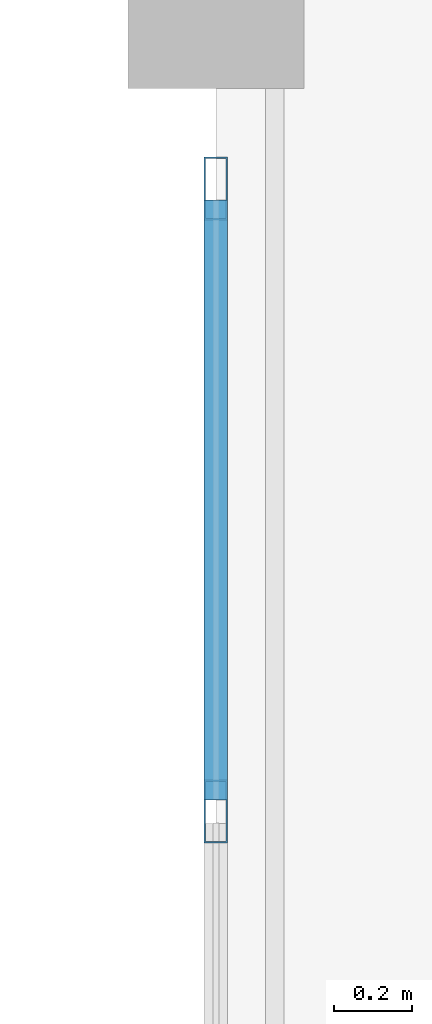
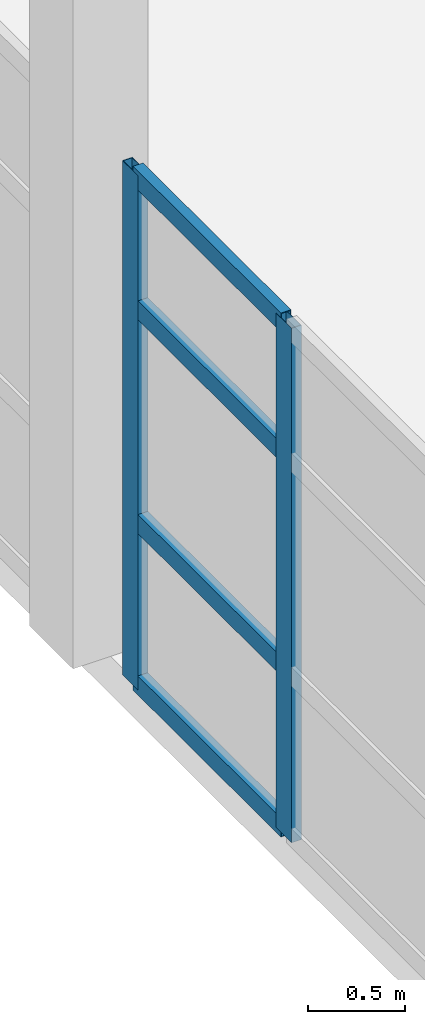
# One storey, part 22 of 80: 6 members, 1 element without a shape of its own.
"""IFC4 building model written with IfcOpenShell, lengths in metres."""

from ifc_helpers import new_model, si_unit, direction, frame, origin, origin_2d, place, context, subcontext, project, spatial, hollow_rectangle, extrude, material, layer, layer_set, material_profile, profile_set, type_object, element, aggregate, save


model = new_model("IFC4")

# Units and contexts
model_context = context("Model", 3, precision=1e-05, world=origin(), true_north=direction((0.0, 1.0)))
body_context = subcontext(model_context, "Body", "Model", "MODEL_VIEW")
ifc_project = project(units=[si_unit("LENGTHUNIT", "METRE"), si_unit("AREAUNIT", "SQUARE_METRE"), si_unit("VOLUMEUNIT", "CUBIC_METRE"), si_unit("PLANEANGLEUNIT", "RADIAN"), si_unit("MASSUNIT", "GRAM", prefix="KILO")], contexts=[model_context])

# Site, building, storey
site_placement = place(None, origin())
site = spatial("IfcSite", under=ifc_project, at=site_placement, CompositionType="ELEMENT")
building_placement = place(site_placement, origin())
building = spatial("IfcBuilding", under=site, at=building_placement, Name="Ornek Quay Market", CompositionType="ELEMENT")
storey_placement = place(building_placement, frame((0.0, 0.0, 8.39990234375)))
storey = spatial("IfcBuildingStorey", under=building, at=storey_placement, Name="L02", CompositionType="ELEMENT", Elevation=8.39990234375)

# Curtain wall, members
ifc_material_1 = material(Name="Anodised bronze aluminium and triple low-e glass", Category="aluminium")
ifc_layer = layer(ifc_material_1, 0.139892578125, Name="Anodised bronze aluminium and triple low-e glass", Category="aluminium")
ifc_layer_set = layer_set([ifc_layer], Name="Anodised bronze aluminium and triple low-e glass")
curtain_wall_type = type_object("IfcCurtainWallType", Name="CW-GALLERY-INT", PredefinedType="USERDEFINED", material=ifc_layer_set)
curtain_wall_placement = place(storey_placement, origin())
curtain_wall = element("IfcCurtainWall", 1, at=curtain_wall_placement, inside=storey, type_object=curtain_wall_type, Name="Curtain wall CW-119", ObjectType="CURTAIN WALL", PredefinedType="USERDEFINED")
ifc_material_2 = material(Name="Anodised aluminium 6063-T6", Category="aluminium")
ifc_material_profile_1 = material_profile(ifc_material_2, hollow_rectangle(XDim=0.06005859375, YDim=0.159912109375, WallThickness=0.00390625, at=origin_2d()), Name="CW-MUL-60x160", Category="aluminium")
ifc_profile_set_1 = profile_set([ifc_material_profile_1], Name="Anodised aluminium 6063-T6")
member_type_1 = type_object("IfcMemberType", Name="CW-MUL-60x160", PredefinedType="MULLION", material=ifc_profile_set_1)
member_1_placement = place(storey_placement, frame((108.0, 71.929931640625, 0.0), z_axis=(0.0, 0.0, 1.0), x_axis=(-1.0, 0.0, 0.0)))
member_1 = element("IfcMember", 2, at=member_1_placement, type_object=member_type_1, Name="CW-119 mullion 5", PredefinedType="MULLION", context=body_context, shape_type="SweptSolid", body=[
    extrude(hollow_rectangle(XDim=0.06005859375, YDim=0.159912109375, WallThickness=0.00390625, at=origin_2d()), origin(), (0.0, 0.0, 1.0), 3.25),
])
member_2_placement = place(storey_placement, frame((108.0, 73.52001953125, 0.0), z_axis=(0.0, 0.0, 1.0), x_axis=(-1.0, 0.0, 0.0)))
member_2 = element("IfcMember", 3, at=member_2_placement, type_object=member_type_1, Name="CW-119 mullion 6", PredefinedType="MULLION", context=body_context, shape_type="SweptSolid", body=[
    extrude(hollow_rectangle(XDim=0.06005859375, YDim=0.159912109375, WallThickness=0.00390625, at=origin_2d()), origin(), (0.0, 0.0, 1.0), 3.25),
])
ifc_material_profile_2 = material_profile(ifc_material_2, hollow_rectangle(XDim=0.06005859375, YDim=0.1201171875, WallThickness=0.00390625, at=origin_2d()), Name="CW-TRN-60x120", Category="aluminium")
ifc_profile_set_2 = profile_set([ifc_material_profile_2], Name="Anodised aluminium 6063-T6")
member_type_2 = type_object("IfcMemberType", Name="CW-TRN-60x120", PredefinedType="USERDEFINED", material=ifc_profile_set_2)
member_3_placement = place(storey_placement, frame((108.0, 71.9599609375, 0.030029296875), z_axis=(0.0, 1.0, 0.0), x_axis=(-1.0, 0.0, 0.0)))
member_3 = element("IfcMember", 4, at=member_3_placement, type_object=member_type_2, Name="CW-119 transom 5.1", ObjectType="TRANSOM", PredefinedType="USERDEFINED", context=body_context, shape_type="SweptSolid", body=[
    extrude(hollow_rectangle(XDim=0.06005859375, YDim=0.1201171875, WallThickness=0.00390625, at=origin_2d()), origin(), (0.0, 0.0, 1.0), 1.530029296875),
])
member_4_placement = place(storey_placement, frame((108.0, 71.9599609375, 1.050048828125), z_axis=(0.0, 1.0, 0.0), x_axis=(-1.0, 0.0, 0.0)))
member_4 = element("IfcMember", 5, at=member_4_placement, type_object=member_type_2, Name="CW-119 transom 5.2", ObjectType="TRANSOM", PredefinedType="USERDEFINED", context=body_context, shape_type="SweptSolid", body=[
    extrude(hollow_rectangle(XDim=0.06005859375, YDim=0.1201171875, WallThickness=0.00390625, at=origin_2d()), origin(), (0.0, 0.0, 1.0), 1.530029296875),
])
member_5_placement = place(storey_placement, frame((108.0, 71.9599609375, 2.400146484375), z_axis=(0.0, 1.0, 0.0), x_axis=(-1.0, 0.0, 0.0)))
member_5 = element("IfcMember", 6, at=member_5_placement, type_object=member_type_2, Name="CW-119 transom 5.3", ObjectType="TRANSOM", PredefinedType="USERDEFINED", context=body_context, shape_type="SweptSolid", body=[
    extrude(hollow_rectangle(XDim=0.06005859375, YDim=0.1201171875, WallThickness=0.00390625, at=origin_2d()), origin(), (0.0, 0.0, 1.0), 1.530029296875),
])
member_6_placement = place(storey_placement, frame((108.0, 71.9599609375, 3.22021484375), z_axis=(0.0, 1.0, 0.0), x_axis=(-1.0, 0.0, 0.0)))
member_6 = element("IfcMember", 7, at=member_6_placement, type_object=member_type_2, Name="CW-119 transom 5.4", ObjectType="TRANSOM", PredefinedType="USERDEFINED", context=body_context, shape_type="SweptSolid", body=[
    extrude(hollow_rectangle(XDim=0.06005859375, YDim=0.1201171875, WallThickness=0.00390625, at=origin_2d()), origin(), (0.0, 0.0, 1.0), 1.530029296875),
])
aggregate(curtain_wall, [member_1, member_2, member_3, member_4, member_5, member_6])

save(model, "model.ifc")
